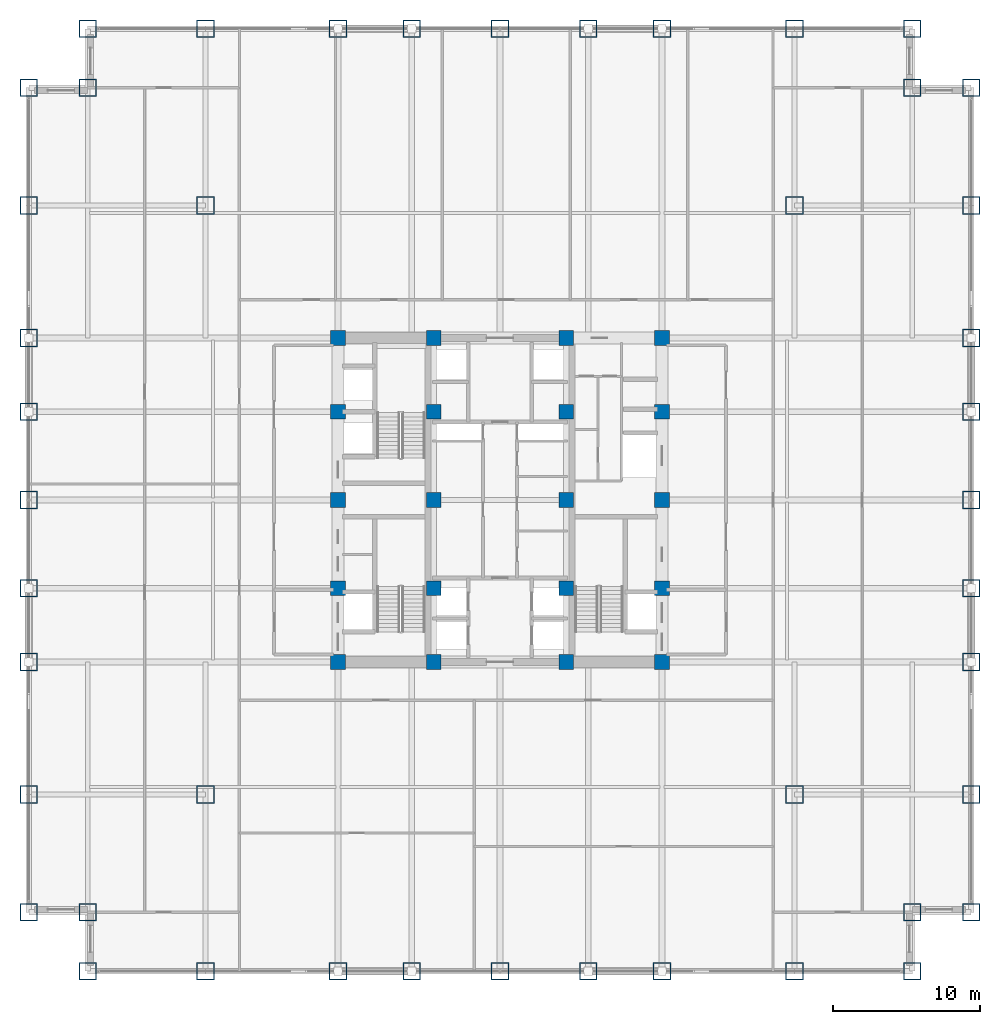
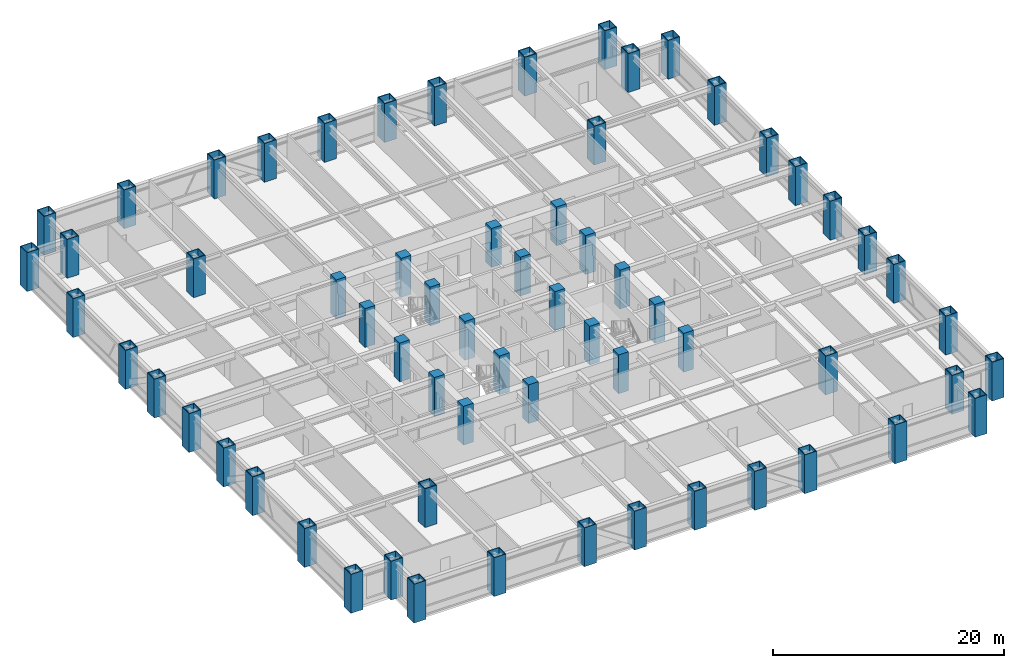
# One storey, part 1 of 27: 64 columns.
"""IFC4 building model written with IfcOpenShell, lengths in metres."""

from ifc_helpers import new_model, si_unit, direction, frame, origin, origin_2d, place, context, subcontext, project, spatial, rectangle, hollow_rectangle, extrude, source, transform, mapped, material, material_profile, profile_set, type_object, element, save


model = new_model("IFC4")

# Units and contexts
model_context = context("Model", 3, precision=1e-05, world=origin(), true_north=direction((0.0, 1.0)))
body_context = subcontext(model_context, "Body", "Model", "MODEL_VIEW")
ifc_project = project(units=[si_unit("LENGTHUNIT", "METRE"), si_unit("AREAUNIT", "SQUARE_METRE"), si_unit("VOLUMEUNIT", "CUBIC_METRE"), si_unit("PLANEANGLEUNIT", "RADIAN"), si_unit("MASSUNIT", "GRAM", prefix="KILO")], contexts=[model_context])

# Site, building, storey
site_placement = place(None, origin())
site = spatial("IfcSite", under=ifc_project, at=site_placement, CompositionType="ELEMENT")
building_placement = place(site_placement, origin())
building = spatial("IfcBuilding", under=site, at=building_placement, Name="Khorayat Bourse Tower", CompositionType="ELEMENT")
storey_placement = place(building_placement, frame((0.0, 0.0, 140.60009765625)))
storey = spatial("IfcBuildingStorey", under=building, at=storey_placement, Name="L32", CompositionType="ELEMENT", Elevation=140.60009765625)

# Columns
ifc_material_1 = material(Name="Steel EN 10025-4 S460M", Category="steel")
ifc_material_profile_1 = material_profile(ifc_material_1, hollow_rectangle(XDim=1.199951171875, YDim=1.199951171875, WallThickness=0.070068359375, at=origin_2d()), Name="BOX 1200x1200x70")
ifc_profile_set_1 = profile_set([ifc_material_profile_1], Name="Steel EN 10025-4 S460M")
column_type_1 = type_object("IfcColumnType", Name="COL-TUBE-1200", PredefinedType="COLUMN", material=ifc_profile_set_1)
shared_shape_1 = source(origin(), body_context, "Body", "SweptSolid", [
    extrude(hollow_rectangle(XDim=1.199951171875, YDim=1.199951171875, WallThickness=0.070068359375, at=origin_2d()), origin(), (0.0, 0.0, 1.0), 4.099853515625),
])
for number, where, z_axis, x_axis, name in (
    (1, (-32.0, -28.0, 0.0), (0.0, 0.0, 1.0), (1.0, 0.0, 0.0), "L32 Column 001"),
    (2, (-32.0, -20.0, 0.0), (0.0, 0.0, 1.0), (1.0, 0.0, 0.0), "L32 Column 002"),
    (3, (-32.0, -11.0, 0.0), (0.0, 0.0, 1.0), (1.0, 0.0, 0.0), "L32 Column 003"),
    (4, (-32.0, -6.0, 0.0), (0.0, 0.0, 1.0), (1.0, 0.0, 0.0), "L32 Column 004"),
    (5, (-32.0, 0.0, 0.0), (0.0, 0.0, 1.0), (1.0, 0.0, 0.0), "L32 Column 005"),
    (6, (-32.0, 6.0, 0.0), (0.0, 0.0, 1.0), (1.0, 0.0, 0.0), "L32 Column 006"),
    (7, (-32.0, 11.0, 0.0), (0.0, 0.0, 1.0), (1.0, 0.0, 0.0), "L32 Column 007"),
    (8, (-32.0, 20.0, 0.0), (0.0, 0.0, 1.0), (1.0, 0.0, 0.0), "L32 Column 008"),
    (9, (-32.0, 28.0, 0.0), (0.0, 0.0, 1.0), (1.0, 0.0, 0.0), "L32 Column 009"),
    (10, (-28.0, -32.0, 0.0), (0.0, 0.0, 1.0), (1.0, 0.0, 0.0), "L32 Column 010"),
    (11, (-28.0, -28.0, 0.0), (0.0, 0.0, 1.0), (1.0, 0.0, 0.0), "L32 Column 011"),
    (12, (-28.0, 28.0, 0.0), (0.0, 0.0, 1.0), (1.0, 0.0, 0.0), "L32 Column 012"),
    (13, (-28.0, 32.0, 0.0), (0.0, 0.0, 1.0), (1.0, 0.0, 0.0), "L32 Column 013"),
    (14, (-20.0, -32.0, 0.0), (0.0, 0.0, 1.0), (1.0, 0.0, 0.0), "L32 Column 014"),
    (15, (-20.0, -20.0, 0.0), (0.0, 0.0, 1.0), (1.0, 0.0, 0.0), "L32 Column 015"),
    (16, (-20.0, 20.0, 0.0), (0.0, 0.0, 1.0), (1.0, 0.0, 0.0), "L32 Column 016"),
    (17, (-20.0, 32.0, 0.0), (0.0, 0.0, 1.0), (1.0, 0.0, 0.0), "L32 Column 017"),
    (18, (-11.0, -32.0, 0.0), (0.0, 0.0, 1.0), (1.0, 0.0, 0.0), "L32 Column 018"),
    (19, (-11.0, 32.0, 0.0), (0.0, 0.0, 1.0), (1.0, 0.0, 0.0), "L32 Column 024"),
    (20, (-6.0, -32.0, 0.0), (0.0, 0.0, 1.0), (1.0, 0.0, 0.0), "L32 Column 025"),
    (21, (-6.0, 32.0, 0.0), (0.0, 0.0, 1.0), (1.0, 0.0, 0.0), "L32 Column 026"),
    (22, (0.0, -32.0, 0.0), (0.0, 0.0, 1.0), (1.0, 0.0, 0.0), "L32 Column 032"),
    (23, (0.0, 32.0, 0.0), (0.0, 0.0, 1.0), (1.0, 0.0, 0.0), "L32 Column 033"),
    (24, (6.0, -32.0, 0.0), (0.0, 0.0, 1.0), (1.0, 0.0, 0.0), "L32 Column 039"),
    (25, (6.0, 32.0, 0.0), (0.0, 0.0, 1.0), (1.0, 0.0, 0.0), "L32 Column 040"),
    (26, (11.0, -32.0, 0.0), (0.0, 0.0, 1.0), (1.0, 0.0, 0.0), "L32 Column 041"),
    (27, (11.0, 32.0, 0.0), (0.0, 0.0, 1.0), (1.0, 0.0, 0.0), "L32 Column 047"),
    (28, (20.0, -32.0, 0.0), (0.0, 0.0, 1.0), (1.0, 0.0, 0.0), "L32 Column 048"),
    (29, (20.0, -20.0, 0.0), (0.0, 0.0, 1.0), (1.0, 0.0, 0.0), "L32 Column 049"),
    (30, (20.0, 20.0, 0.0), (0.0, 0.0, 1.0), (1.0, 0.0, 0.0), "L32 Column 050"),
    (31, (20.0, 32.0, 0.0), (0.0, 0.0, 1.0), (1.0, 0.0, 0.0), "L32 Column 051"),
    (32, (28.0, -32.0, 0.0), (0.0, 0.0, 1.0), (1.0, 0.0, 0.0), "L32 Column 052"),
    (33, (28.0, -28.0, 0.0), (0.0, 0.0, 1.0), (1.0, 0.0, 0.0), "L32 Column 053"),
    (34, (28.0, 28.0, 0.0), (0.0, 0.0, 1.0), (1.0, 0.0, 0.0), "L32 Column 054"),
    (35, (28.0, 32.0, 0.0), (0.0, 0.0, 1.0), (1.0, 0.0, 0.0), "L32 Column 055"),
    (36, (32.0, -28.0, 0.0), (0.0, 0.0, 1.0), (1.0, 0.0, 0.0), "L32 Column 056"),
    (37, (32.0, -20.0, 0.0), (0.0, 0.0, 1.0), (1.0, 0.0, 0.0), "L32 Column 057"),
    (38, (32.0, -11.0, 0.0), (0.0, 0.0, 1.0), (1.0, 0.0, 0.0), "L32 Column 058"),
    (39, (32.0, -6.0, 0.0), (0.0, 0.0, 1.0), (1.0, 0.0, 0.0), "L32 Column 059"),
    (40, (32.0, 0.0, 0.0), (0.0, 0.0, 1.0), (1.0, 0.0, 0.0), "L32 Column 060"),
    (41, (32.0, 6.0, 0.0), (0.0, 0.0, 1.0), (1.0, 0.0, 0.0), "L32 Column 061"),
    (42, (32.0, 11.0, 0.0), (0.0, 0.0, 1.0), (1.0, 0.0, 0.0), "L32 Column 062"),
    (43, (32.0, 20.0, 0.0), (0.0, 0.0, 1.0), (1.0, 0.0, 0.0), "L32 Column 063"),
    (44, (32.0, 28.0, 0.0), (0.0, 0.0, 1.0), (1.0, 0.0, 0.0), "L32 Column 064"),
):
    element("IfcColumn", number, at=place(storey_placement, frame(where, z_axis=z_axis, x_axis=x_axis)), inside=storey, type_object=column_type_1, Name=name, PredefinedType="COLUMN", context=body_context, shape_type="MappedRepresentation", body=[
        mapped(shared_shape_1, transform((0.0, 0.0, 0.0), scale=1.0)),
    ])
ifc_material_2 = material(Name="Concrete C72/90", Category="concrete")
ifc_material_profile_2 = material_profile(ifc_material_2, rectangle(XDim=1.0, YDim=1.0, at=origin_2d()), Name="RC 1000x1000")
ifc_profile_set_2 = profile_set([ifc_material_profile_2], Name="Concrete C72/90")
column_type_2 = type_object("IfcColumnType", Name="COL-CORE-1000", PredefinedType="COLUMN", material=ifc_profile_set_2)
shared_shape_2 = source(origin(), body_context, "Body", "SweptSolid", [
    extrude(rectangle(XDim=1.0, YDim=1.0, at=origin_2d()), origin(), (0.0, 0.0, 1.0), 4.099853515625),
])
for number, where, z_axis, x_axis, name in (
    (45, (-11.0, -11.0, 0.0), (0.0, 0.0, 1.0), (1.0, 0.0, 0.0), "L32 Column 019"),
    (46, (-11.0, -6.0, 0.0), (0.0, 0.0, 1.0), (1.0, 0.0, 0.0), "L32 Column 020"),
    (47, (-11.0, 0.0, 0.0), (0.0, 0.0, 1.0), (1.0, 0.0, 0.0), "L32 Column 021"),
    (48, (-11.0, 6.0, 0.0), (0.0, 0.0, 1.0), (1.0, 0.0, 0.0), "L32 Column 022"),
    (49, (-11.0, 11.0, 0.0), (0.0, 0.0, 1.0), (1.0, 0.0, 0.0), "L32 Column 023"),
    (50, (-4.5, -11.0, 0.0), (0.0, 0.0, 1.0), (1.0, 0.0, 0.0), "L32 Column 027"),
    (51, (-4.5, -6.0, 0.0), (0.0, 0.0, 1.0), (1.0, 0.0, 0.0), "L32 Column 028"),
    (52, (-4.5, 0.0, 0.0), (0.0, 0.0, 1.0), (1.0, 0.0, 0.0), "L32 Column 029"),
    (53, (-4.5, 6.0, 0.0), (0.0, 0.0, 1.0), (1.0, 0.0, 0.0), "L32 Column 030"),
    (54, (-4.5, 11.0, 0.0), (0.0, 0.0, 1.0), (1.0, 0.0, 0.0), "L32 Column 031"),
    (55, (4.5, -11.0, 0.0), (0.0, 0.0, 1.0), (1.0, 0.0, 0.0), "L32 Column 034"),
    (56, (4.5, -6.0, 0.0), (0.0, 0.0, 1.0), (1.0, 0.0, 0.0), "L32 Column 035"),
    (57, (4.5, 0.0, 0.0), (0.0, 0.0, 1.0), (1.0, 0.0, 0.0), "L32 Column 036"),
    (58, (4.5, 6.0, 0.0), (0.0, 0.0, 1.0), (1.0, 0.0, 0.0), "L32 Column 037"),
    (59, (4.5, 11.0, 0.0), (0.0, 0.0, 1.0), (1.0, 0.0, 0.0), "L32 Column 038"),
    (60, (11.0, -11.0, 0.0), (0.0, 0.0, 1.0), (1.0, 0.0, 0.0), "L32 Column 042"),
    (61, (11.0, -6.0, 0.0), (0.0, 0.0, 1.0), (1.0, 0.0, 0.0), "L32 Column 043"),
    (62, (11.0, 0.0, 0.0), (0.0, 0.0, 1.0), (1.0, 0.0, 0.0), "L32 Column 044"),
    (63, (11.0, 6.0, 0.0), (0.0, 0.0, 1.0), (1.0, 0.0, 0.0), "L32 Column 045"),
    (64, (11.0, 11.0, 0.0), (0.0, 0.0, 1.0), (1.0, 0.0, 0.0), "L32 Column 046"),
):
    element("IfcColumn", number, at=place(storey_placement, frame(where, z_axis=z_axis, x_axis=x_axis)), inside=storey, type_object=column_type_2, Name=name, PredefinedType="COLUMN", context=body_context, shape_type="MappedRepresentation", body=[
        mapped(shared_shape_2, transform((0.0, 0.0, 0.0), scale=1.0)),
    ])

save(model, "model.ifc")
